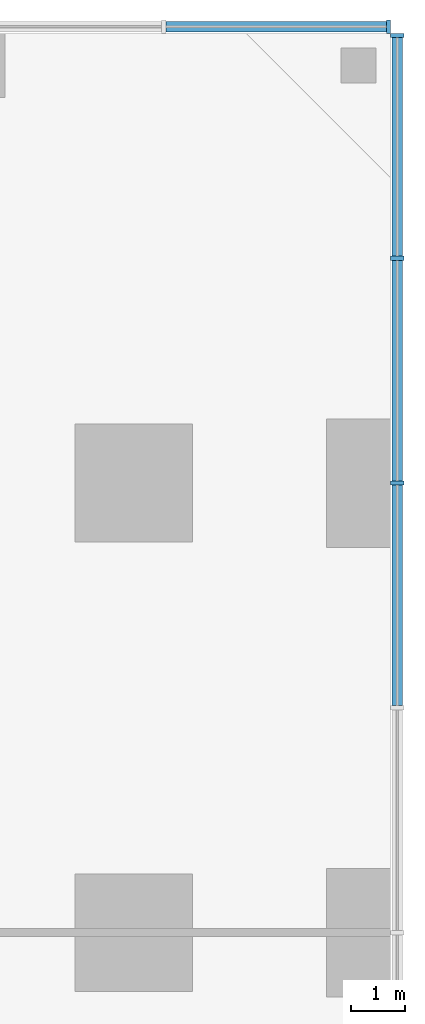
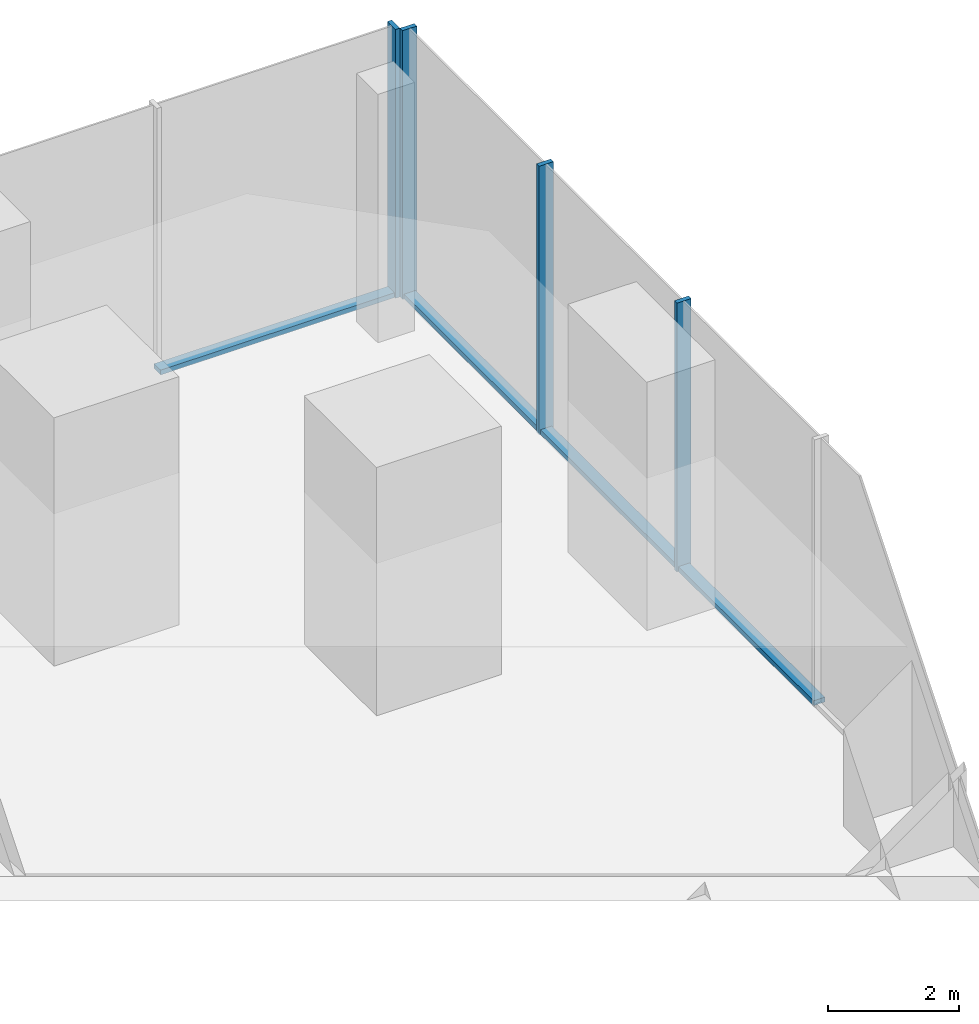
# One storey, part 9 of 18: 8 members, 2 elements without a shape of their own.
"""IFC4 building model written with IfcOpenShell, lengths in metres."""

from ifc_helpers import new_model, si_unit, direction, frame, origin, origin_2d, place, context, subcontext, project, spatial, rectangle, extrude, material, material_profile, profile_set, type_object, element, aggregate, save


model = new_model("IFC4")

# Units and contexts
model_context = context("Model", 3, precision=1e-05, world=origin(), true_north=direction((0.0, 1.0)))
body_context = subcontext(model_context, "Body", "Model", "MODEL_VIEW")
ifc_project = project(units=[si_unit("LENGTHUNIT", "METRE"), si_unit("AREAUNIT", "SQUARE_METRE"), si_unit("VOLUMEUNIT", "CUBIC_METRE"), si_unit("PLANEANGLEUNIT", "RADIAN"), si_unit("MASSUNIT", "GRAM", prefix="KILO")], contexts=[model_context])

# Site, building, storey
site_placement = place(None, origin())
site = spatial("IfcSite", under=ifc_project, at=site_placement, CompositionType="ELEMENT")
building_placement = place(site_placement, origin())
building = spatial("IfcBuilding", under=site, at=building_placement, Name="Dunama Terrace Hotel", CompositionType="ELEMENT")
storey_placement = place(building_placement, frame((0.0, 0.0, 17.0)))
storey = spatial("IfcBuildingStorey", under=building, at=storey_placement, Name="L03", CompositionType="ELEMENT", Elevation=17.0)

# Curtain wall, members
ifc_material_1 = material(Name="Aluminium curtain wall system", Category="aluminium")
curtain_wall_type = type_object("IfcCurtainWallType", Name="Podium storefront glazing CW-E", PredefinedType="NOTDEFINED", material=ifc_material_1)
curtain_wall_1_placement = place(storey_placement, origin())
curtain_wall_1 = element("IfcCurtainWall", 1, at=curtain_wall_1_placement, inside=storey, type_object=curtain_wall_type, Name="Podium storefront glazing CW-E L03", PredefinedType="NOTDEFINED")
ifc_material_2 = material(Name="Aluminium mullion", Category="aluminium")
ifc_material_profile_1 = material_profile(ifc_material_2, rectangle(XDim=0.080078125, YDim=0.25, at=origin_2d()), Name="CWE MULLION 80X250")
ifc_profile_set_1 = profile_set([ifc_material_profile_1], Name="Aluminium mullion")
member_type_1 = type_object("IfcMemberType", Name="CWE mullion 80x250", PredefinedType="MULLION", material=ifc_profile_set_1)
member_1_placement = place(storey_placement, frame((58.925048828125, 50.39990234375, 0.0), z_axis=(0.0, 0.0, 1.0), x_axis=(0.0, 1.0, 0.0)))
member_1 = element("IfcMember", 2, at=member_1_placement, type_object=member_type_1, Name="CWE mullion", PredefinedType="MULLION", context=body_context, shape_type="SweptSolid", body=[
    extrude(rectangle(XDim=0.080078125, YDim=0.25, at=origin_2d()), origin(), (0.0, 0.0, 1.0), 5.0),
])
member_2_placement = place(storey_placement, frame((58.925048828125, 54.60009765625, 0.0), z_axis=(0.0, 0.0, 1.0), x_axis=(0.0, 1.0, 0.0)))
member_2 = element("IfcMember", 3, at=member_2_placement, type_object=member_type_1, Name="CWE mullion", PredefinedType="MULLION", context=body_context, shape_type="SweptSolid", body=[
    extrude(rectangle(XDim=0.080078125, YDim=0.25, at=origin_2d()), origin(), (0.0, 0.0, 1.0), 5.0),
])
member_3_placement = place(storey_placement, frame((58.925048828125, 58.760009765625, 0.0), z_axis=(0.0, 0.0, 1.0), x_axis=(0.0, 1.0, 0.0)))
member_3 = element("IfcMember", 4, at=member_3_placement, type_object=member_type_1, Name="CWE mullion", PredefinedType="MULLION", context=body_context, shape_type="SweptSolid", body=[
    extrude(rectangle(XDim=0.080078125, YDim=0.25, at=origin_2d()), origin(), (0.0, 0.0, 1.0), 5.0),
])

# Curtain wall, member
curtain_wall_2_placement = place(storey_placement, origin())
curtain_wall_2 = element("IfcCurtainWall", 5, at=curtain_wall_2_placement, inside=storey, type_object=curtain_wall_type, Name="Podium storefront glazing CW-E L03", PredefinedType="NOTDEFINED")
member_4_placement = place(storey_placement, frame((58.760009765625, 58.925048828125, 0.0), z_axis=(0.0, 0.0, 1.0), x_axis=(-1.0, 0.0, 0.0)))
member_4 = element("IfcMember", 6, at=member_4_placement, type_object=member_type_1, Name="CWE mullion", PredefinedType="MULLION", context=body_context, shape_type="SweptSolid", body=[
    extrude(rectangle(XDim=0.080078125, YDim=0.25, at=origin_2d()), origin(), (0.0, 0.0, 1.0), 5.0),
])

# Member
ifc_material_3 = material(Name="Aluminium transom", Category="aluminium")
ifc_material_profile_2 = material_profile(ifc_material_3, rectangle(XDim=0.199951171875, YDim=0.090087890625, at=origin_2d()), Name="CWE TRANSOM 200X90")
ifc_profile_set_2 = profile_set([ifc_material_profile_2], Name="Aluminium transom")
member_type_2 = type_object("IfcMemberType", Name="CWE transom 200x90", PredefinedType="USERDEFINED", material=ifc_profile_set_2)
member_5_placement = place(storey_placement, frame((58.925048828125, 46.239990234375, 0.044921875), z_axis=(0.0, 1.0, 0.0), x_axis=(-1.0, 0.0, 0.0)))
member_5 = element("IfcMember", 7, at=member_5_placement, type_object=member_type_2, Name="CWE transom", ObjectType="TRANSOM", PredefinedType="USERDEFINED", context=body_context, shape_type="SweptSolid", body=[
    extrude(rectangle(XDim=0.199951171875, YDim=0.090087890625, at=origin_2d()), origin(), (0.0, 0.0, 1.0), 4.1201171875),
])

member_6_placement = place(storey_placement, frame((58.925048828125, 50.43994140625, 0.044921875), z_axis=(0.0, 1.0, 0.0), x_axis=(-1.0, 0.0, 0.0)))
member_6 = element("IfcMember", 8, at=member_6_placement, type_object=member_type_2, Name="CWE transom", ObjectType="TRANSOM", PredefinedType="USERDEFINED", context=body_context, shape_type="SweptSolid", body=[
    extrude(rectangle(XDim=0.199951171875, YDim=0.090087890625, at=origin_2d()), origin(), (0.0, 0.0, 1.0), 4.1201171875),
])

member_7_placement = place(storey_placement, frame((58.925048828125, 54.639892578125, 0.044921875), z_axis=(0.0, 1.0, 0.0), x_axis=(-1.0, 0.0, 0.0)))
member_7 = element("IfcMember", 9, at=member_7_placement, type_object=member_type_2, Name="CWE transom", ObjectType="TRANSOM", PredefinedType="USERDEFINED", context=body_context, shape_type="SweptSolid", body=[
    extrude(rectangle(XDim=0.199951171875, YDim=0.090087890625, at=origin_2d()), origin(), (0.0, 0.0, 1.0), 4.080078125),
])

aggregate(curtain_wall_1, [member_1, member_2, member_3, member_5, member_6, member_7])

member_8_placement = place(storey_placement, frame((58.719970703125, 58.925048828125, 0.044921875), z_axis=(-1.0, 0.0, 0.0), x_axis=(0.0, -1.0, 0.0)))
member_8 = element("IfcMember", 10, at=member_8_placement, type_object=member_type_2, Name="CWE transom", ObjectType="TRANSOM", PredefinedType="USERDEFINED", context=body_context, shape_type="SweptSolid", body=[
    extrude(rectangle(XDim=0.199951171875, YDim=0.090087890625, at=origin_2d()), origin(), (0.0, 0.0, 1.0), 4.117919921875),
])

aggregate(curtain_wall_2, [member_4, member_8])

save(model, "model.ifc")
